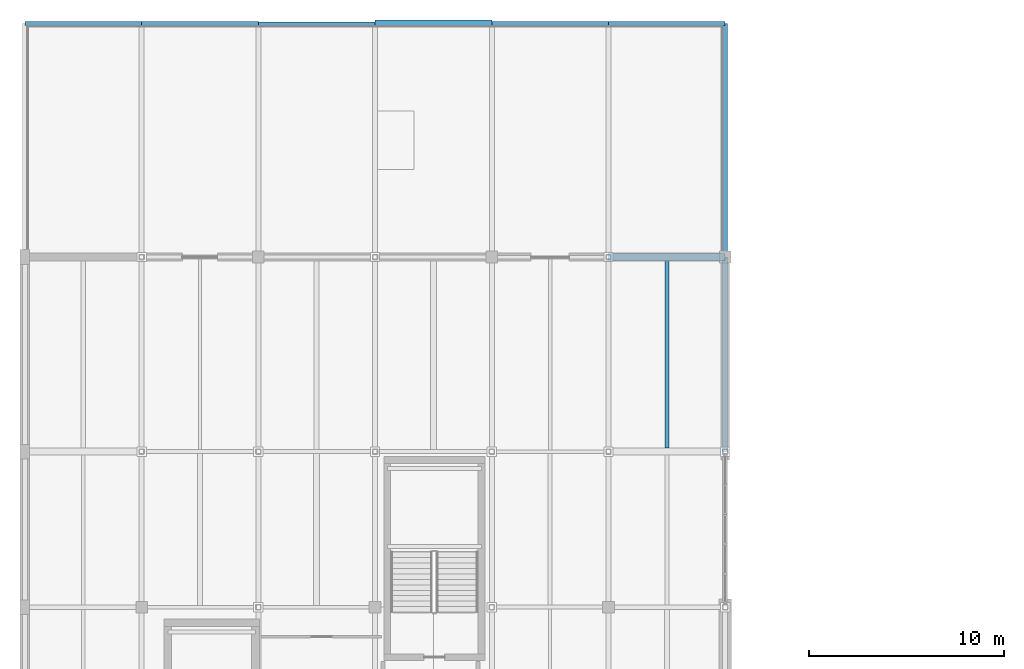
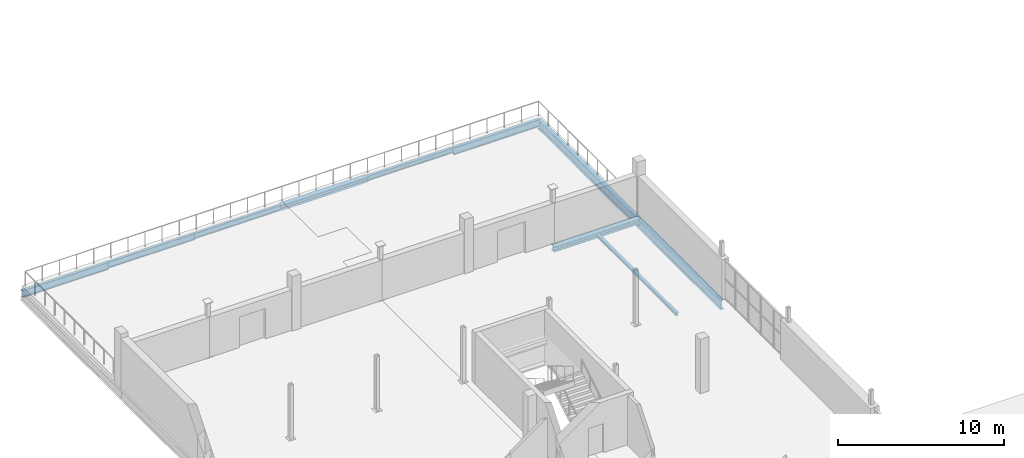
# One storey, part 57 of 96: 10 beams.
"""IFC4 building model written with IfcOpenShell, lengths in metres."""

import ifcopenshell
import ifcopenshell.guid

model = None  # the IFC model being written
_history = None  # IfcOwnerHistory: only IFC2X3 demands one
_inside = {}  # id of a spatial element -> (the spatial element, [elements in it])
_under = {}  # id of a project, library or spatial element -> (it, [spatial elements below it])
_declared = {}  # id of a project -> (the project, [libraries it declares])
_typed = {}  # id of a type object -> (the type object, [elements of that type])
_made_of = {}  # id of a material, layer set ... -> (it, [elements and type objects made of it])


def new_model(schema):
    """Start an empty IFC model of exactly this schema.

    Asked for "IFC4X3", IfcOpenShell would pick the latest addendum, in which some entities
    have other attributes; the version numbers below select the first issue.
    IFC2X3 requires an IfcOwnerHistory on every rooted entity: one is made here for all.
    """
    global model, _history
    if schema == "IFC4X3":
        model = ifcopenshell.file(schema_version=(4, 3, 0, 0))
    else:
        model = ifcopenshell.file(schema=schema)
    _inside.clear()
    _under.clear()
    _declared.clear()
    _typed.clear()
    _made_of.clear()
    _history = None
    if model.schema == "IFC2X3":
        org = make("IfcOrganization", Name="unknown")
        user = make(
            "IfcPersonAndOrganization",
            ThePerson=make("IfcPerson", FamilyName="unknown"),
            TheOrganization=org,
        )
        app = make(
            "IfcApplication",
            ApplicationDeveloper=org,
            Version="unknown",
            ApplicationFullName="unknown",
            ApplicationIdentifier="unknown",
        )
        _history = make(
            "IfcOwnerHistory",
            OwningUser=user,
            OwningApplication=app,
            ChangeAction="ADDED",
            CreationDate=0,
        )
    return model


def make(cls, **values):
    """One entity of the class cls with the attributes given. An attribute that is None is left unset."""
    return model.create_entity(
        cls, **{name: value for name, value in values.items() if value is not None}
    )


def rooted(cls, **values):
    """An entity with a GlobalId (a new one), such as an element, a storey or a relation."""
    return make(cls, GlobalId=ifcopenshell.guid.new(), OwnerHistory=_history, **values)


def si_unit(unit_type, name, prefix=None):
    """IfcSIUnit, for example si_unit("LENGTHUNIT", "METRE", prefix="MILLI")."""
    return make("IfcSIUnit", UnitType=unit_type, Prefix=prefix, Name=name)


def assignment(units):
    """IfcUnitAssignment: the units of a project."""
    return None if units is None else make("IfcUnitAssignment", Units=units)


def point(xyz):
    """IfcCartesianPoint."""
    return None if xyz is None else make("IfcCartesianPoint", Coordinates=xyz)


def direction(xyz):
    """IfcDirection."""
    return None if xyz is None else make("IfcDirection", DirectionRatios=xyz)


def frame(location, z_axis=None, x_axis=None):
    """IfcAxis2Placement3D, a coordinate frame: its origin and axes. An axis left out is left unset."""
    return make(
        "IfcAxis2Placement3D",
        Location=point(location),
        Axis=direction(z_axis),
        RefDirection=direction(x_axis),
    )


def frame_2d(location, x_axis=None):
    """IfcAxis2Placement2D, a coordinate frame in the plane: its origin and x axis."""
    return make(
        "IfcAxis2Placement2D", Location=point(location), RefDirection=direction(x_axis)
    )


def origin():
    """The frame at (0, 0, 0) with its axes left unset."""
    return frame((0.0, 0.0, 0.0))


def origin_2d():
    """The frame at (0, 0) in the plane with its x axis left unset."""
    return frame_2d((0.0, 0.0))


def place(relative_to, where):
    """IfcLocalPlacement: puts the frame where relative to a parent placement (None: the world)."""
    return make(
        "IfcLocalPlacement", PlacementRelTo=relative_to, RelativePlacement=where
    )


def context(
    kind, dimensions, precision=None, world=None, true_north=None, identifier=None
):
    """IfcGeometricRepresentationContext, for example the 3D "Model" context."""
    return make(
        "IfcGeometricRepresentationContext",
        ContextIdentifier=identifier,
        ContextType=kind,
        CoordinateSpaceDimension=dimensions,
        Precision=precision,
        WorldCoordinateSystem=world,
        TrueNorth=true_north,
    )


def subcontext(parent, identifier, kind, view, scale=None):
    """IfcGeometricRepresentationSubContext, for example "Body" below "Model"."""
    return make(
        "IfcGeometricRepresentationSubContext",
        ContextIdentifier=identifier,
        ContextType=kind,
        ParentContext=parent,
        TargetScale=scale,
        TargetView=view,
    )


def project(units=None, contexts=None):
    """IfcProject with its units and contexts."""
    return rooted(
        "IfcProject",
        Name="project",
        RepresentationContexts=contexts,
        UnitsInContext=assignment(units),
    )


def spatial(cls, under=None, at=None, **own):
    """A site, building, storey or space (cls), placed at a placement, below another one or the project."""
    s = rooted(cls, ObjectPlacement=at, **own)
    if under is not None:
        _under.setdefault(under.id(), (under, []))[1].append(s)
    return s


def profile(cls, at=None, kind="AREA", **sizes):
    """A parametric profile (cls). Its sizes go by their IFC names, for example OverallWidth=200.0."""
    return make(cls, ProfileType=kind, Position=at, **sizes)


def i_section(**sizes):
    """IfcIShapeProfileDef."""
    return profile("IfcIShapeProfileDef", **sizes)


def extrude(swept, where, along, depth):
    """IfcExtrudedAreaSolid: the profile swept, set in the frame where, extruded along a direction by depth."""
    return make(
        "IfcExtrudedAreaSolid",
        SweptArea=swept,
        Position=where,
        ExtrudedDirection=direction(along),
        Depth=depth,
    )


def shape(context_of_items, identifier, shape_type, items):
    """IfcShapeRepresentation: the items that make up one representation, for example the "Body"."""
    return make(
        "IfcShapeRepresentation",
        ContextOfItems=context_of_items,
        RepresentationIdentifier=identifier,
        RepresentationType=shape_type,
        Items=items,
    )


def material(Name=None, Category=None):
    """IfcMaterial."""
    return make("IfcMaterial", Name=Name, Category=Category)


def material_profile(
    of_material, cross_section, Name=None, Category=None, Priority=None
):
    """IfcMaterialProfile: a cross section and its material."""
    return make(
        "IfcMaterialProfile",
        Name=Name,
        Material=of_material,
        Profile=cross_section,
        Priority=Priority,
        Category=Category,
    )


def profile_set(profiles, Name=None, composite=None):
    """IfcMaterialProfileSet."""
    return make(
        "IfcMaterialProfileSet",
        Name=Name,
        MaterialProfiles=profiles,
        CompositeProfile=composite,
    )


def made_of(thing, what):
    """Note that an element or type object is made of a material, layer set ...; save() writes the relation."""
    if what is not None:
        _made_of.setdefault(what.id(), (what, []))[1].append(thing)
    return thing


def type_object(cls, material=None, **own):
    """A type object (cls), such as IfcWallType, which elements share."""
    return made_of(rooted(cls, **own), material)


def element(
    cls,
    number,
    at=None,
    inside=None,
    cuts=None,
    type_object=None,
    material=None,
    context=None,
    identifier="Body",
    shape_type=None,
    held_by="IfcProductDefinitionShape",
    body=None,
    shapes=None,
    **own,
):
    """One element of the class cls, such as IfcWall. Its Tag is "e" and its number.

    at: its placement. inside: the storey or other place that contains it. cuts: it is an
    opening in that element (IfcRelVoidsElement). A single representation is given by context,
    identifier, shape_type and body (its items); several are given by shapes. held_by: the class
    of the entity that holds the representations. save() writes the other relations.
    """
    e = rooted(cls, Tag="e%d" % number, ObjectPlacement=at, **own)
    if body is not None:
        shapes = [shape(context, identifier, shape_type, body)]
    if shapes is not None:
        e.Representation = make(held_by, Representations=shapes)
    if inside is not None:
        _inside.setdefault(inside.id(), (inside, []))[1].append(e)
    if cuts is not None:
        rooted(
            "IfcRelVoidsElement", RelatingBuildingElement=cuts, RelatedOpeningElement=e
        )
    if type_object is not None:
        _typed.setdefault(type_object.id(), (type_object, []))[1].append(e)
    return made_of(e, material)


def aggregate(whole, parts):
    """IfcRelAggregates: a whole, such as a stair, and the parts it consists of."""
    return rooted("IfcRelAggregates", RelatingObject=whole, RelatedObjects=parts)


def save(model, path):
    """Write the relations noted so far, then the file.

    IfcRelAggregates (storeys below a building ...), IfcRelContainedInSpatialStructure (elements
    in a storey), IfcRelDefinesByType, IfcRelAssociatesMaterial and IfcRelDeclares: one each for
    every whole, place, type object, material and project.
    """
    for whole, parts in _under.values():
        aggregate(whole, parts)
    for where, things in _inside.values():
        rooted(
            "IfcRelContainedInSpatialStructure",
            RelatedElements=things,
            RelatingStructure=where,
        )
    for kind, things in _typed.values():
        rooted("IfcRelDefinesByType", RelatedObjects=things, RelatingType=kind)
    for what, things in _made_of.values():
        rooted("IfcRelAssociatesMaterial", RelatedObjects=things, RelatingMaterial=what)
    for by, libraries in _declared.values():
        rooted("IfcRelDeclares", RelatingContext=by, RelatedDefinitions=libraries)
    model.write(path)


model = new_model("IFC4")

# Units and contexts
model_context = context("Model", 3, precision=1e-05, world=origin(), true_north=direction((0.0, 1.0)))
body_context = subcontext(model_context, "Body", "Model", "MODEL_VIEW")
ifc_project = project(units=[si_unit("LENGTHUNIT", "METRE"), si_unit("AREAUNIT", "SQUARE_METRE"), si_unit("VOLUMEUNIT", "CUBIC_METRE"), si_unit("PLANEANGLEUNIT", "RADIAN"), si_unit("MASSUNIT", "GRAM", prefix="KILO")], contexts=[model_context])

# Site, building, storey
site_placement = place(None, origin())
site = spatial("IfcSite", under=ifc_project, at=site_placement, CompositionType="ELEMENT")
building_placement = place(site_placement, origin())
building = spatial("IfcBuilding", under=site, at=building_placement, Name="Verrall Gate Interchange", CompositionType="ELEMENT")
storey_placement = place(building_placement, frame((0.0, 0.0, 11.39990234375)))
storey = spatial("IfcBuildingStorey", under=building, at=storey_placement, Name="L03", CompositionType="ELEMENT", Elevation=11.39990234375)

# Beams
ifc_material_1 = material(Name="Structural Steel CSA G40.21 350WT Cat 4", Category="steel")
ifc_material_profile_1 = material_profile(ifc_material_1, i_section(OverallWidth=0.256103515625, OverallDepth=0.693115234375, WebThickness=0.01318359375, FlangeThickness=0.02001953125, FilletRadius=0.01611328125, at=origin_2d()), Name="W690x170")
ifc_profile_set_1 = profile_set([ifc_material_profile_1], Name="Structural Steel CSA G40.21 350WT Cat 4")
beam_type_1 = type_object("IfcBeamType", Name="B-07 Structural Beam W690x170", PredefinedType="BEAM", material=ifc_profile_set_1)
beam_1_placement = place(storey_placement, frame((36.0, 74.0, -0.676513671875), z_axis=(0.0, 1.0, 0.0), x_axis=(-1.0, 0.0, 0.0)))
element("IfcBeam", 1, at=beam_1_placement, inside=storey, type_object=beam_type_1, Name="L03 Girder BM-L03-2270 (B-07)", PredefinedType="BEAM", context=body_context, shape_type="SweptSolid", body=[
    extrude(i_section(OverallWidth=0.256103515625, OverallDepth=0.693115234375, WebThickness=0.01318359375, FlangeThickness=0.02001953125, FilletRadius=0.01611328125, at=origin_2d()), origin(), (0.0, 0.0, 1.0), 10.0),
])
beam_2_placement = place(storey_placement, frame((36.0, 84.0, -0.676513671875), z_axis=(0.0, 1.0, 0.0), x_axis=(-1.0, 0.0, 0.0)))
element("IfcBeam", 2, at=beam_2_placement, inside=storey, type_object=beam_type_1, Name="L03 Girder BM-L03-2271 (B-07)", PredefinedType="BEAM", context=body_context, shape_type="SweptSolid", body=[
    extrude(i_section(OverallWidth=0.256103515625, OverallDepth=0.693115234375, WebThickness=0.01318359375, FlangeThickness=0.02001953125, FilletRadius=0.01611328125, at=origin_2d()), origin(), (0.0, 0.0, 1.0), 12.0),
])
ifc_material_2 = material(Name="Structural Steel CSA G40.21 350W", Category="steel")
ifc_material_profile_2 = material_profile(ifc_material_2, i_section(OverallWidth=0.2109375, OverallDepth=0.5390625, WebThickness=0.01171875, FlangeThickness=0.018798828125, FilletRadius=0.013916015625, at=origin_2d()), Name="W530x109")
ifc_profile_set_2 = profile_set([ifc_material_profile_2], Name="Structural Steel CSA G40.21 350W")
beam_type_2 = type_object("IfcBeamType", Name="B-10 Structural Beam W530x109", PredefinedType="BEAM", material=ifc_profile_set_2)
for number, where, z_axis, x_axis, name in (
    (3, (0.0, 96.0, -0.599365234375), (1.0, 0.0, 0.0), (0.0, 1.0, 0.0), "L03 Girder BM-L03-2167 (B-10)"),
    (4, (30.0, 96.0, -0.599365234375), (1.0, 0.0, 0.0), (0.0, 1.0, 0.0), "L03 Girder BM-L03-2172 (B-10)"),
):
    element("IfcBeam", number, at=place(storey_placement, frame(where, z_axis=z_axis, x_axis=x_axis)), inside=storey, type_object=beam_type_2, Name=name, PredefinedType="BEAM", context=body_context, shape_type="SweptSolid", body=[
        extrude(i_section(OverallWidth=0.2109375, OverallDepth=0.5390625, WebThickness=0.01171875, FlangeThickness=0.018798828125, FilletRadius=0.013916015625, at=origin_2d()), origin(), (0.0, 0.0, 1.0), 6.0),
    ])
ifc_material_3 = material(Name="Structural Steel CSA G40.21 350W", Category="steel")
ifc_material_profile_3 = material_profile(ifc_material_3, i_section(OverallWidth=0.19189453125, OverallDepth=0.462890625, WebThickness=0.010498046875, FlangeThickness=0.017578125, FilletRadius=0.012939453125, at=origin_2d()), Name="W460x89")
ifc_profile_set_3 = profile_set([ifc_material_profile_3], Name="Structural Steel CSA G40.21 350W")
beam_type_3 = type_object("IfcBeamType", Name="B-11 Structural Beam W460x89", PredefinedType="BEAM", material=ifc_profile_set_3)
beam_3_placement = place(storey_placement, frame((6.0, 96.0, -0.5615234375), z_axis=(1.0, 0.0, 0.0), x_axis=(0.0, 1.0, 0.0)))
element("IfcBeam", 5, at=beam_3_placement, inside=storey, type_object=beam_type_3, Name="L03 Girder BM-L03-2168 (B-11)", PredefinedType="BEAM", context=body_context, shape_type="SweptSolid", body=[
    extrude(i_section(OverallWidth=0.19189453125, OverallDepth=0.462890625, WebThickness=0.010498046875, FlangeThickness=0.017578125, FilletRadius=0.012939453125, at=origin_2d()), origin(), (0.0, 0.0, 1.0), 6.0),
])
ifc_material_4 = material(Name="Structural Steel CSA G40.21 350W", Category="steel")
ifc_material_profile_4 = material_profile(ifc_material_4, i_section(OverallWidth=0.178955078125, OverallDepth=0.409912109375, WebThickness=0.0087890625, FlangeThickness=0.014404296875, FilletRadius=0.011962890625, at=origin_2d()), Name="W410x67")
ifc_profile_set_4 = profile_set([ifc_material_profile_4], Name="Structural Steel CSA G40.21 350W")
beam_type_4 = type_object("IfcBeamType", Name="B-12 Structural Beam W410x67", PredefinedType="BEAM", material=ifc_profile_set_4)
beam_4_placement = place(storey_placement, frame((12.0, 96.0, -0.534912109375), z_axis=(1.0, 0.0, 0.0), x_axis=(0.0, 1.0, 0.0)))
element("IfcBeam", 6, at=beam_4_placement, inside=storey, type_object=beam_type_4, Name="L03 Girder BM-L03-2169 (B-12)", PredefinedType="BEAM", context=body_context, shape_type="SweptSolid", body=[
    extrude(i_section(OverallWidth=0.178955078125, OverallDepth=0.409912109375, WebThickness=0.0087890625, FlangeThickness=0.014404296875, FilletRadius=0.011962890625, at=origin_2d()), origin(), (0.0, 0.0, 1.0), 6.0),
])
ifc_material_5 = material(Name="Structural Steel CSA G40.21 350W", Category="steel")
ifc_material_profile_5 = material_profile(ifc_material_5, i_section(OverallWidth=0.368896484375, OverallDepth=0.35595703125, WebThickness=0.01123046875, FlangeThickness=0.01806640625, FilletRadius=0.014892578125, at=origin_2d()), Name="W360x134")
ifc_profile_set_5 = profile_set([ifc_material_profile_5], Name="Structural Steel CSA G40.21 350W")
beam_type_5 = type_object("IfcBeamType", Name="B-13 Structural Beam W360x134", PredefinedType="BEAM", material=ifc_profile_set_5)
for number, where, z_axis, x_axis, name in (
    (7, (30.0, 84.0, -0.5078125), (1.0, 0.0, 0.0), (0.0, 1.0, 0.0), "L03 Girder BM-L03-2166 (B-13)"),
    (8, (18.0, 96.0, -0.5078125), (1.0, 0.0, 0.0), (0.0, 1.0, 0.0), "L03 Girder BM-L03-2170 (B-13)"),
):
    element("IfcBeam", number, at=place(storey_placement, frame(where, z_axis=z_axis, x_axis=x_axis)), inside=storey, type_object=beam_type_5, Name=name, PredefinedType="BEAM", context=body_context, shape_type="SweptSolid", body=[
        extrude(i_section(OverallWidth=0.368896484375, OverallDepth=0.35595703125, WebThickness=0.01123046875, FlangeThickness=0.01806640625, FilletRadius=0.014892578125, at=origin_2d()), origin(), (0.0, 0.0, 1.0), 6.0),
    ])
ifc_material_6 = material(Name="Structural Steel CSA G40.21 350W", Category="steel")
ifc_material_profile_6 = material_profile(ifc_material_6, i_section(OverallWidth=0.205078125, OverallDepth=0.35400390625, WebThickness=0.009521484375, FlangeThickness=0.016845703125, FilletRadius=0.012939453125, at=origin_2d()), Name="W360x79")
ifc_profile_set_6 = profile_set([ifc_material_profile_6], Name="Structural Steel CSA G40.21 350W")
beam_type_6 = type_object("IfcBeamType", Name="B-14 Structural Beam W360x79", PredefinedType="BEAM", material=ifc_profile_set_6)
beam_5_placement = place(storey_placement, frame((24.0, 96.0, -0.5068359375), z_axis=(1.0, 0.0, 0.0), x_axis=(0.0, 1.0, 0.0)))
element("IfcBeam", 9, at=beam_5_placement, inside=storey, type_object=beam_type_6, Name="L03 Girder BM-L03-2171 (B-14)", PredefinedType="BEAM", context=body_context, shape_type="SweptSolid", body=[
    extrude(i_section(OverallWidth=0.205078125, OverallDepth=0.35400390625, WebThickness=0.009521484375, FlangeThickness=0.016845703125, FilletRadius=0.012939453125, at=origin_2d()), origin(), (0.0, 0.0, 1.0), 6.0),
])
ifc_material_7 = material(Name="Structural Steel CSA G40.21 350W", Category="steel")
ifc_material_profile_7 = material_profile(ifc_material_7, i_section(OverallWidth=0.202880859375, OverallDepth=0.202880859375, WebThickness=0.007080078125, FlangeThickness=0.010986328125, FilletRadius=0.010009765625, at=origin_2d()), Name="W200x46")
ifc_profile_set_7 = profile_set([ifc_material_profile_7], Name="Structural Steel CSA G40.21 350W")
beam_type_7 = type_object("IfcBeamType", Name="J-07 Floor Joist W200x46", PredefinedType="JOIST", material=ifc_profile_set_7)
beam_6_placement = place(storey_placement, frame((33.0, 74.1845703125, -0.431396484375), z_axis=(0.0, 1.0, 0.0), x_axis=(-1.0, 0.0, 0.0)))
element("IfcBeam", 10, at=beam_6_placement, inside=storey, type_object=beam_type_7, Name="L03 Secondary Floor Joist JST-L03-2514", PredefinedType="JOIST", context=body_context, shape_type="SweptSolid", body=[
    extrude(i_section(OverallWidth=0.202880859375, OverallDepth=0.202880859375, WebThickness=0.007080078125, FlangeThickness=0.010986328125, FilletRadius=0.010009765625, at=origin_2d()), origin(), (0.0, 0.0, 1.0), 9.630859375),
])

save(model, "model.ifc")
